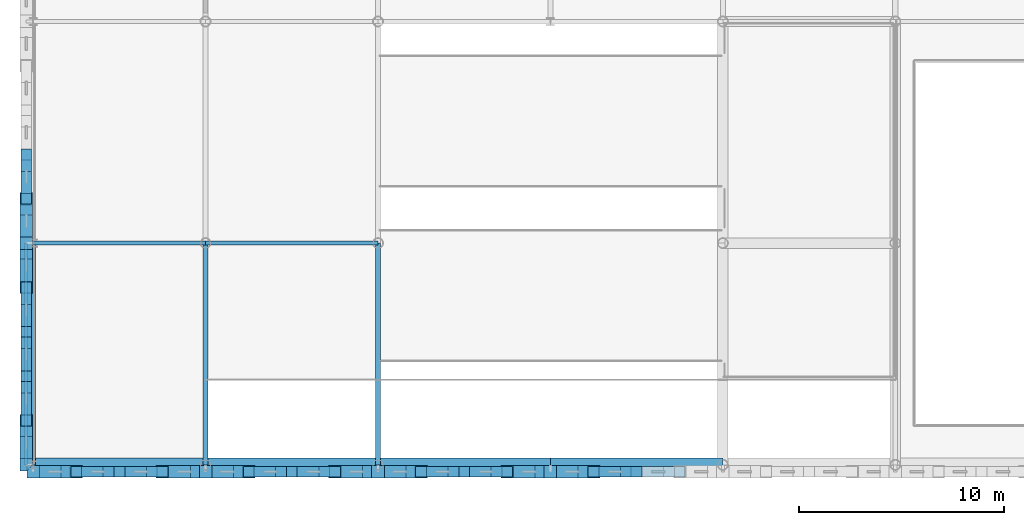
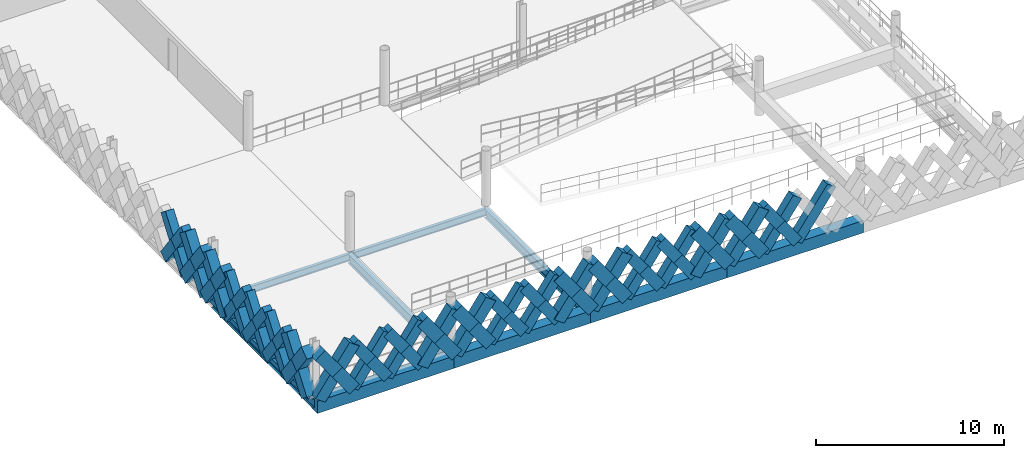
# One storey, part 23 of 101: 65 members, 9 beams.
"""IFC4 building model written with IfcOpenShell, lengths in metres."""

import ifcopenshell
import ifcopenshell.guid

model = None  # the IFC model being written
_history = None  # IfcOwnerHistory: only IFC2X3 demands one
_inside = {}  # id of a spatial element -> (the spatial element, [elements in it])
_under = {}  # id of a project, library or spatial element -> (it, [spatial elements below it])
_declared = {}  # id of a project -> (the project, [libraries it declares])
_typed = {}  # id of a type object -> (the type object, [elements of that type])
_made_of = {}  # id of a material, layer set ... -> (it, [elements and type objects made of it])


def new_model(schema):
    """Start an empty IFC model of exactly this schema.

    Asked for "IFC4X3", IfcOpenShell would pick the latest addendum, in which some entities
    have other attributes; the version numbers below select the first issue.
    IFC2X3 requires an IfcOwnerHistory on every rooted entity: one is made here for all.
    """
    global model, _history
    if schema == "IFC4X3":
        model = ifcopenshell.file(schema_version=(4, 3, 0, 0))
    else:
        model = ifcopenshell.file(schema=schema)
    _inside.clear()
    _under.clear()
    _declared.clear()
    _typed.clear()
    _made_of.clear()
    _history = None
    if model.schema == "IFC2X3":
        org = make("IfcOrganization", Name="unknown")
        user = make(
            "IfcPersonAndOrganization",
            ThePerson=make("IfcPerson", FamilyName="unknown"),
            TheOrganization=org,
        )
        app = make(
            "IfcApplication",
            ApplicationDeveloper=org,
            Version="unknown",
            ApplicationFullName="unknown",
            ApplicationIdentifier="unknown",
        )
        _history = make(
            "IfcOwnerHistory",
            OwningUser=user,
            OwningApplication=app,
            ChangeAction="ADDED",
            CreationDate=0,
        )
    return model


def make(cls, **values):
    """One entity of the class cls with the attributes given. An attribute that is None is left unset."""
    return model.create_entity(
        cls, **{name: value for name, value in values.items() if value is not None}
    )


def rooted(cls, **values):
    """An entity with a GlobalId (a new one), such as an element, a storey or a relation."""
    return make(cls, GlobalId=ifcopenshell.guid.new(), OwnerHistory=_history, **values)


def si_unit(unit_type, name, prefix=None):
    """IfcSIUnit, for example si_unit("LENGTHUNIT", "METRE", prefix="MILLI")."""
    return make("IfcSIUnit", UnitType=unit_type, Prefix=prefix, Name=name)


def assignment(units):
    """IfcUnitAssignment: the units of a project."""
    return None if units is None else make("IfcUnitAssignment", Units=units)


def point(xyz):
    """IfcCartesianPoint."""
    return None if xyz is None else make("IfcCartesianPoint", Coordinates=xyz)


def direction(xyz):
    """IfcDirection."""
    return None if xyz is None else make("IfcDirection", DirectionRatios=xyz)


def frame(location, z_axis=None, x_axis=None):
    """IfcAxis2Placement3D, a coordinate frame: its origin and axes. An axis left out is left unset."""
    return make(
        "IfcAxis2Placement3D",
        Location=point(location),
        Axis=direction(z_axis),
        RefDirection=direction(x_axis),
    )


def frame_2d(location, x_axis=None):
    """IfcAxis2Placement2D, a coordinate frame in the plane: its origin and x axis."""
    return make(
        "IfcAxis2Placement2D", Location=point(location), RefDirection=direction(x_axis)
    )


def origin():
    """The frame at (0, 0, 0) with its axes left unset."""
    return frame((0.0, 0.0, 0.0))


def origin_2d():
    """The frame at (0, 0) in the plane with its x axis left unset."""
    return frame_2d((0.0, 0.0))


def place(relative_to, where):
    """IfcLocalPlacement: puts the frame where relative to a parent placement (None: the world)."""
    return make(
        "IfcLocalPlacement", PlacementRelTo=relative_to, RelativePlacement=where
    )


def context(
    kind, dimensions, precision=None, world=None, true_north=None, identifier=None
):
    """IfcGeometricRepresentationContext, for example the 3D "Model" context."""
    return make(
        "IfcGeometricRepresentationContext",
        ContextIdentifier=identifier,
        ContextType=kind,
        CoordinateSpaceDimension=dimensions,
        Precision=precision,
        WorldCoordinateSystem=world,
        TrueNorth=true_north,
    )


def subcontext(parent, identifier, kind, view, scale=None):
    """IfcGeometricRepresentationSubContext, for example "Body" below "Model"."""
    return make(
        "IfcGeometricRepresentationSubContext",
        ContextIdentifier=identifier,
        ContextType=kind,
        ParentContext=parent,
        TargetScale=scale,
        TargetView=view,
    )


def project(units=None, contexts=None):
    """IfcProject with its units and contexts."""
    return rooted(
        "IfcProject",
        Name="project",
        RepresentationContexts=contexts,
        UnitsInContext=assignment(units),
    )


def spatial(cls, under=None, at=None, **own):
    """A site, building, storey or space (cls), placed at a placement, below another one or the project."""
    s = rooted(cls, ObjectPlacement=at, **own)
    if under is not None:
        _under.setdefault(under.id(), (under, []))[1].append(s)
    return s


def profile(cls, at=None, kind="AREA", **sizes):
    """A parametric profile (cls). Its sizes go by their IFC names, for example OverallWidth=200.0."""
    return make(cls, ProfileType=kind, Position=at, **sizes)


def rectangle(**sizes):
    """IfcRectangleProfileDef."""
    return profile("IfcRectangleProfileDef", **sizes)


def hollow_rectangle(**sizes):
    """IfcRectangleHollowProfileDef."""
    return profile("IfcRectangleHollowProfileDef", **sizes)


def i_section(**sizes):
    """IfcIShapeProfileDef."""
    return profile("IfcIShapeProfileDef", **sizes)


def extrude(swept, where, along, depth):
    """IfcExtrudedAreaSolid: the profile swept, set in the frame where, extruded along a direction by depth."""
    return make(
        "IfcExtrudedAreaSolid",
        SweptArea=swept,
        Position=where,
        ExtrudedDirection=direction(along),
        Depth=depth,
    )


def shape(context_of_items, identifier, shape_type, items):
    """IfcShapeRepresentation: the items that make up one representation, for example the "Body"."""
    return make(
        "IfcShapeRepresentation",
        ContextOfItems=context_of_items,
        RepresentationIdentifier=identifier,
        RepresentationType=shape_type,
        Items=items,
    )


def material(Name=None, Category=None):
    """IfcMaterial."""
    return make("IfcMaterial", Name=Name, Category=Category)


def material_profile(
    of_material, cross_section, Name=None, Category=None, Priority=None
):
    """IfcMaterialProfile: a cross section and its material."""
    return make(
        "IfcMaterialProfile",
        Name=Name,
        Material=of_material,
        Profile=cross_section,
        Priority=Priority,
        Category=Category,
    )


def profile_set(profiles, Name=None, composite=None):
    """IfcMaterialProfileSet."""
    return make(
        "IfcMaterialProfileSet",
        Name=Name,
        MaterialProfiles=profiles,
        CompositeProfile=composite,
    )


def made_of(thing, what):
    """Note that an element or type object is made of a material, layer set ...; save() writes the relation."""
    if what is not None:
        _made_of.setdefault(what.id(), (what, []))[1].append(thing)
    return thing


def type_object(cls, material=None, **own):
    """A type object (cls), such as IfcWallType, which elements share."""
    return made_of(rooted(cls, **own), material)


def element(
    cls,
    number,
    at=None,
    inside=None,
    cuts=None,
    type_object=None,
    material=None,
    context=None,
    identifier="Body",
    shape_type=None,
    held_by="IfcProductDefinitionShape",
    body=None,
    shapes=None,
    **own,
):
    """One element of the class cls, such as IfcWall. Its Tag is "e" and its number.

    at: its placement. inside: the storey or other place that contains it. cuts: it is an
    opening in that element (IfcRelVoidsElement). A single representation is given by context,
    identifier, shape_type and body (its items); several are given by shapes. held_by: the class
    of the entity that holds the representations. save() writes the other relations.
    """
    e = rooted(cls, Tag="e%d" % number, ObjectPlacement=at, **own)
    if body is not None:
        shapes = [shape(context, identifier, shape_type, body)]
    if shapes is not None:
        e.Representation = make(held_by, Representations=shapes)
    if inside is not None:
        _inside.setdefault(inside.id(), (inside, []))[1].append(e)
    if cuts is not None:
        rooted(
            "IfcRelVoidsElement", RelatingBuildingElement=cuts, RelatedOpeningElement=e
        )
    if type_object is not None:
        _typed.setdefault(type_object.id(), (type_object, []))[1].append(e)
    return made_of(e, material)


def aggregate(whole, parts):
    """IfcRelAggregates: a whole, such as a stair, and the parts it consists of."""
    return rooted("IfcRelAggregates", RelatingObject=whole, RelatedObjects=parts)


def save(model, path):
    """Write the relations noted so far, then the file.

    IfcRelAggregates (storeys below a building ...), IfcRelContainedInSpatialStructure (elements
    in a storey), IfcRelDefinesByType, IfcRelAssociatesMaterial and IfcRelDeclares: one each for
    every whole, place, type object, material and project.
    """
    for whole, parts in _under.values():
        aggregate(whole, parts)
    for where, things in _inside.values():
        rooted(
            "IfcRelContainedInSpatialStructure",
            RelatedElements=things,
            RelatingStructure=where,
        )
    for kind, things in _typed.values():
        rooted("IfcRelDefinesByType", RelatedObjects=things, RelatingType=kind)
    for what, things in _made_of.values():
        rooted("IfcRelAssociatesMaterial", RelatedObjects=things, RelatingMaterial=what)
    for by, libraries in _declared.values():
        rooted("IfcRelDeclares", RelatingContext=by, RelatedDefinitions=libraries)
    model.write(path)


model = new_model("IFC4")

# Units and contexts
model_context = context("Model", 3, precision=1e-05, world=origin(), true_north=direction((0.0, 1.0)))
body_context = subcontext(model_context, "Body", "Model", "MODEL_VIEW")
ifc_project = project(units=[si_unit("LENGTHUNIT", "METRE"), si_unit("AREAUNIT", "SQUARE_METRE"), si_unit("VOLUMEUNIT", "CUBIC_METRE"), si_unit("PLANEANGLEUNIT", "RADIAN"), si_unit("MASSUNIT", "GRAM", prefix="KILO"), si_unit("THERMODYNAMICTEMPERATUREUNIT", "KELVIN"), si_unit("POWERUNIT", "WATT")], contexts=[model_context])

# Site, building, storey
site_placement = place(None, origin())
site = spatial("IfcSite", under=ifc_project, at=site_placement, CompositionType="ELEMENT")
building_placement = place(site_placement, origin())
building = spatial("IfcBuilding", under=site, at=building_placement, Name="Tembeka Court Mobility Hub", CompositionType="ELEMENT")
storey_placement = place(building_placement, frame((0.0, 0.0, 5.39990234375)))
storey = spatial("IfcBuildingStorey", under=building, at=storey_placement, Name="L01", CompositionType="ELEMENT", Elevation=5.39990234375)

# Beams
ifc_material_1 = material(Name="Steel S355", Category="steel")
ifc_material_profile_1 = material_profile(ifc_material_1, i_section(OverallWidth=0.18994140625, OverallDepth=0.45703125, WebThickness=0.009033203125, FlangeThickness=0.014404296875, FilletRadius=0.01025390625, at=origin_2d()), Name="UKB 457x191x74")
ifc_profile_set_1 = profile_set([ifc_material_profile_1], Name="Steel S355")
beam_type_1 = type_object("IfcBeamType", Name="BM-B01", PredefinedType="BEAM", material=ifc_profile_set_1)
beam_1_placement = place(storey_placement, frame((0.0, 10.800048828125, -0.478515625), z_axis=(1.0, 0.0, 0.0), x_axis=(0.0, 1.0, 0.0)))
element("IfcBeam", 1, at=beam_1_placement, inside=storey, type_object=beam_type_1, Name="Beam B01 (BM-L01-X0621)", PredefinedType="BEAM", context=body_context, shape_type="SweptSolid", body=[
    extrude(i_section(OverallWidth=0.18994140625, OverallDepth=0.45703125, WebThickness=0.009033203125, FlangeThickness=0.014404296875, FilletRadius=0.01025390625, at=origin_2d()), origin(), (0.0, 0.0, 1.0), 8.39990234375),
])
beam_2_placement = place(storey_placement, frame((8.39990234375, 10.800048828125, -0.478515625), z_axis=(1.0, 0.0, 0.0), x_axis=(0.0, 1.0, 0.0)))
element("IfcBeam", 2, at=beam_2_placement, inside=storey, type_object=beam_type_1, Name="Beam B01 (BM-L01-X0622)", PredefinedType="BEAM", context=body_context, shape_type="SweptSolid", body=[
    extrude(i_section(OverallWidth=0.18994140625, OverallDepth=0.45703125, WebThickness=0.009033203125, FlangeThickness=0.014404296875, FilletRadius=0.01025390625, at=origin_2d()), origin(), (0.0, 0.0, 1.0), 8.400146484375),
])
ifc_material_profile_2 = material_profile(ifc_material_1, i_section(OverallWidth=0.22900390625, OverallDepth=0.612060546875, WebThickness=0.011962890625, FlangeThickness=0.01953125, FilletRadius=0.0126953125, at=origin_2d()), Name="UKB 610x229x125")
ifc_profile_set_2 = profile_set([ifc_material_profile_2], Name="Steel S355")
beam_type_2 = type_object("IfcBeamType", Name="BM-G02", PredefinedType="USERDEFINED", material=ifc_profile_set_2)
for number, where, z_axis, x_axis, name in (
    (3, (0.0, 0.0, -0.52587890625), (0.0, 1.0, 0.0), (-1.0, 0.0, 0.0), "Beam G02 (BM-L01-Y0761)"),
    (4, (8.39990234375, 0.0, -0.555908203125), (0.0, 1.0, 0.0), (-1.0, 0.0, 0.0), "Beam G02 (BM-L01-Y0772)"),
    (5, (16.800048828125, 0.0, -0.555908203125), (0.0, 1.0, 0.0), (-1.0, 0.0, 0.0), "Beam G02 (BM-L01-Y0783)"),
):
    element("IfcBeam", number, at=place(storey_placement, frame(where, z_axis=z_axis, x_axis=x_axis)), inside=storey, type_object=beam_type_2, Name=name, ObjectType="GIRDER", PredefinedType="USERDEFINED", context=body_context, shape_type="SweptSolid", body=[
        extrude(i_section(OverallWidth=0.22900390625, OverallDepth=0.612060546875, WebThickness=0.011962890625, FlangeThickness=0.01953125, FilletRadius=0.0126953125, at=origin_2d()), origin(), (0.0, 0.0, 1.0), 10.800048828125),
    ])
ifc_material_2 = material(Name="Precast concrete C45/55", Category="concrete")
ifc_material_profile_3 = material_profile(ifc_material_2, rectangle(XDim=0.64990234375, YDim=0.800048828125, at=origin_2d()), Name="PC-SP 650x800")
ifc_profile_set_3 = profile_set([ifc_material_profile_3], Name="Precast concrete C45/55")
beam_type_3 = type_object("IfcBeamType", Name="BM-SP01", PredefinedType="SPANDREL", material=ifc_profile_set_3)
beam_3_placement = place(storey_placement, frame((0.0, 0.0, -0.619873046875), z_axis=(1.0, 0.0, 0.0), x_axis=(0.0, 1.0, 0.0)))
element("IfcBeam", 6, at=beam_3_placement, inside=storey, type_object=beam_type_3, Name="Beam SP01 (BM-L01-X0605)", PredefinedType="SPANDREL", context=body_context, shape_type="SweptSolid", body=[
    extrude(rectangle(XDim=0.64990234375, YDim=0.800048828125, at=origin_2d()), origin(), (0.0, 0.0, 1.0), 8.39990234375),
])
beam_4_placement = place(storey_placement, frame((8.39990234375, 0.0, -0.619873046875), z_axis=(1.0, 0.0, 0.0), x_axis=(0.0, 1.0, 0.0)))
element("IfcBeam", 7, at=beam_4_placement, inside=storey, type_object=beam_type_3, Name="Beam SP01 (BM-L01-X0606)", PredefinedType="SPANDREL", context=body_context, shape_type="SweptSolid", body=[
    extrude(rectangle(XDim=0.64990234375, YDim=0.800048828125, at=origin_2d()), origin(), (0.0, 0.0, 1.0), 8.400146484375),
])
beam_5_placement = place(storey_placement, frame((16.800048828125, 0.0, -0.619873046875), z_axis=(1.0, 0.0, 0.0), x_axis=(0.0, 1.0, 0.0)))
element("IfcBeam", 8, at=beam_5_placement, inside=storey, type_object=beam_type_3, Name="Beam SP01 (BM-L01-X0607)", PredefinedType="SPANDREL", context=body_context, shape_type="SweptSolid", body=[
    extrude(rectangle(XDim=0.64990234375, YDim=0.800048828125, at=origin_2d()), origin(), (0.0, 0.0, 1.0), 8.39990234375),
])
beam_6_placement = place(storey_placement, frame((25.199951171875, 0.0, -0.619873046875), z_axis=(1.0, 0.0, 0.0), x_axis=(0.0, 1.0, 0.0)))
element("IfcBeam", 9, at=beam_6_placement, inside=storey, type_object=beam_type_3, Name="Beam SP01 (BM-L01-X0608)", PredefinedType="SPANDREL", context=body_context, shape_type="SweptSolid", body=[
    extrude(rectangle(XDim=0.64990234375, YDim=0.800048828125, at=origin_2d()), origin(), (0.0, 0.0, 1.0), 8.400146484375),
])

# Members
ifc_material_profile_4 = material_profile(ifc_material_2, rectangle(XDim=0.5, YDim=0.64990234375, at=origin_2d()), Name="PC-DIAG 500x650")
ifc_profile_set_4 = profile_set([ifc_material_profile_4], Name="Precast concrete C45/55")
member_type_1 = type_object("IfcMemberType", Name="MEM-DL01", PredefinedType="BRACE", material=ifc_profile_set_4)
member_1_placement = place(storey_placement, frame((2.10009765625, -0.340087890625, 0.02001953125), z_axis=(0.582499552306, 0.0, 0.812831022762), x_axis=(0.0, 1.0, 0.0)))
element("IfcMember", 10, at=member_1_placement, inside=storey, type_object=member_type_1, Name="Precast diamond lattice continuous strand DL01 (L01-2A)", PredefinedType="BRACE", context=body_context, shape_type="SweptSolid", body=[
    extrude(rectangle(XDim=0.5, YDim=0.64990234375, at=origin_2d()), origin(), (0.0, 0.0, 1.0), 3.60498046875),
])
for number, where, z_axis, x_axis, name in (
    (11, (4.199951171875, -0.340087890625, 0.02001953125), (-0.582544294934, 0.0, 0.812798956963), (0.0, -1.0, 0.0), "Precast diamond lattice split lower strand DL01 (L01-2B1)"),
    (12, (3.14990234375, -0.340087890625, 1.485107421875), (-0.582454804382, 0.0, 0.812863088627), (0.0, -1.0, 0.0), "Precast diamond lattice split upper strand DL01 (L01-2B2)"),
):
    element("IfcMember", number, at=place(storey_placement, frame(where, z_axis=z_axis, x_axis=x_axis)), inside=storey, type_object=member_type_1, Name=name, PredefinedType="BRACE", context=body_context, shape_type="SweptSolid", body=[
        extrude(rectangle(XDim=0.5, YDim=0.64990234375, at=origin_2d()), origin(), (0.0, 0.0, 1.0), 1.802490234375),
    ])
member_2_placement = place(storey_placement, frame((4.199951171875, -0.340087890625, 0.02001953125), z_axis=(0.582544294934, 0.0, 0.812798956963), x_axis=(0.0, 1.0, 0.0)))
element("IfcMember", 13, at=member_2_placement, inside=storey, type_object=member_type_1, Name="Precast diamond lattice continuous strand DL01 (L01-3A)", PredefinedType="BRACE", context=body_context, shape_type="SweptSolid", body=[
    extrude(rectangle(XDim=0.5, YDim=0.64990234375, at=origin_2d()), origin(), (0.0, 0.0, 1.0), 3.60498046875),
])
for number, where, z_axis, x_axis, name in (
    (14, (6.300048828125, -0.340087890625, 0.02001953125), (-0.582544294934, 0.0, 0.812798956963), (0.0, -1.0, 0.0), "Precast diamond lattice split lower strand DL01 (L01-3B1)"),
    (15, (5.25, -0.340087890625, 1.485107421875), (-0.582544294934, 0.0, 0.812798956963), (0.0, -1.0, 0.0), "Precast diamond lattice split upper strand DL01 (L01-3B2)"),
):
    element("IfcMember", number, at=place(storey_placement, frame(where, z_axis=z_axis, x_axis=x_axis)), inside=storey, type_object=member_type_1, Name=name, PredefinedType="BRACE", context=body_context, shape_type="SweptSolid", body=[
        extrude(rectangle(XDim=0.5, YDim=0.64990234375, at=origin_2d()), origin(), (0.0, 0.0, 1.0), 1.802490234375),
    ])
member_3_placement = place(storey_placement, frame((10.5, -0.340087890625, 0.02001953125), z_axis=(0.582544294934, 0.0, 0.812798956963), x_axis=(0.0, 1.0, 0.0)))
element("IfcMember", 16, at=member_3_placement, inside=storey, type_object=member_type_1, Name="Precast diamond lattice continuous strand DL01 (L01-6A)", PredefinedType="BRACE", context=body_context, shape_type="SweptSolid", body=[
    extrude(rectangle(XDim=0.5, YDim=0.64990234375, at=origin_2d()), origin(), (0.0, 0.0, 1.0), 3.60498046875),
])
for number, where, z_axis, x_axis, name in (
    (17, (12.60009765625, -0.340087890625, 0.02001953125), (-0.582544294934, 0.0, 0.812798956963), (0.0, -1.0, 0.0), "Precast diamond lattice split lower strand DL01 (L01-6B1)"),
    (18, (11.550048828125, -0.340087890625, 1.485107421875), (-0.582544294934, 0.0, 0.812798956963), (0.0, -1.0, 0.0), "Precast diamond lattice split upper strand DL01 (L01-6B2)"),
):
    element("IfcMember", number, at=place(storey_placement, frame(where, z_axis=z_axis, x_axis=x_axis)), inside=storey, type_object=member_type_1, Name=name, PredefinedType="BRACE", context=body_context, shape_type="SweptSolid", body=[
        extrude(rectangle(XDim=0.5, YDim=0.64990234375, at=origin_2d()), origin(), (0.0, 0.0, 1.0), 1.802490234375),
    ])
member_4_placement = place(storey_placement, frame((12.60009765625, -0.340087890625, 0.02001953125), z_axis=(0.582499552306, 0.0, 0.812831022762), x_axis=(0.0, 1.0, 0.0)))
element("IfcMember", 19, at=member_4_placement, inside=storey, type_object=member_type_1, Name="Precast diamond lattice continuous strand DL01 (L01-7A)", PredefinedType="BRACE", context=body_context, shape_type="SweptSolid", body=[
    extrude(rectangle(XDim=0.5, YDim=0.64990234375, at=origin_2d()), origin(), (0.0, 0.0, 1.0), 3.60498046875),
])
for number, where, z_axis, x_axis, name in (
    (20, (14.699951171875, -0.340087890625, 0.02001953125), (-0.582544294934, 0.0, 0.812798956963), (0.0, -1.0, 0.0), "Precast diamond lattice split lower strand DL01 (L01-7B1)"),
    (21, (13.64990234375, -0.340087890625, 1.485107421875), (-0.582454804382, 0.0, 0.812863088627), (0.0, -1.0, 0.0), "Precast diamond lattice split upper strand DL01 (L01-7B2)"),
):
    element("IfcMember", number, at=place(storey_placement, frame(where, z_axis=z_axis, x_axis=x_axis)), inside=storey, type_object=member_type_1, Name=name, PredefinedType="BRACE", context=body_context, shape_type="SweptSolid", body=[
        extrude(rectangle(XDim=0.5, YDim=0.64990234375, at=origin_2d()), origin(), (0.0, 0.0, 1.0), 1.802490234375),
    ])
member_5_placement = place(storey_placement, frame((18.89990234375, -0.340087890625, 0.02001953125), z_axis=(0.582544294934, 0.0, 0.812798956963), x_axis=(0.0, 1.0, 0.0)))
element("IfcMember", 22, at=member_5_placement, inside=storey, type_object=member_type_1, Name="Precast diamond lattice continuous strand DL01 (L01-10A)", PredefinedType="BRACE", context=body_context, shape_type="SweptSolid", body=[
    extrude(rectangle(XDim=0.5, YDim=0.64990234375, at=origin_2d()), origin(), (0.0, 0.0, 1.0), 3.60498046875),
])
for number, where, z_axis, x_axis, name in (
    (23, (21.0, -0.340087890625, 0.02001953125), (-0.582544294934, 0.0, 0.812798956963), (0.0, -1.0, 0.0), "Precast diamond lattice split lower strand DL01 (L01-10B1)"),
    (24, (19.949951171875, -0.340087890625, 1.485107421875), (-0.582544294934, 0.0, 0.812798956963), (0.0, -1.0, 0.0), "Precast diamond lattice split upper strand DL01 (L01-10B2)"),
):
    element("IfcMember", number, at=place(storey_placement, frame(where, z_axis=z_axis, x_axis=x_axis)), inside=storey, type_object=member_type_1, Name=name, PredefinedType="BRACE", context=body_context, shape_type="SweptSolid", body=[
        extrude(rectangle(XDim=0.5, YDim=0.64990234375, at=origin_2d()), origin(), (0.0, 0.0, 1.0), 1.802490234375),
    ])
member_6_placement = place(storey_placement, frame((21.0, -0.340087890625, 0.02001953125), z_axis=(0.582544294934, 0.0, 0.812798956963), x_axis=(0.0, 1.0, 0.0)))
element("IfcMember", 25, at=member_6_placement, inside=storey, type_object=member_type_1, Name="Precast diamond lattice continuous strand DL01 (L01-11A)", PredefinedType="BRACE", context=body_context, shape_type="SweptSolid", body=[
    extrude(rectangle(XDim=0.5, YDim=0.64990234375, at=origin_2d()), origin(), (0.0, 0.0, 1.0), 3.60498046875),
])
for number, where, z_axis, x_axis, name in (
    (26, (23.10009765625, -0.340087890625, 0.02001953125), (-0.582544294934, 0.0, 0.812798956963), (0.0, -1.0, 0.0), "Precast diamond lattice split lower strand DL01 (L01-11B1)"),
    (27, (22.050048828125, -0.340087890625, 1.485107421875), (-0.582544294934, 0.0, 0.812798956963), (0.0, -1.0, 0.0), "Precast diamond lattice split upper strand DL01 (L01-11B2)"),
):
    element("IfcMember", number, at=place(storey_placement, frame(where, z_axis=z_axis, x_axis=x_axis)), inside=storey, type_object=member_type_1, Name=name, PredefinedType="BRACE", context=body_context, shape_type="SweptSolid", body=[
        extrude(rectangle(XDim=0.5, YDim=0.64990234375, at=origin_2d()), origin(), (0.0, 0.0, 1.0), 1.802490234375),
    ])
member_7_placement = place(storey_placement, frame((27.300048828125, -0.340087890625, 0.02001953125), z_axis=(0.582499552306, 0.0, 0.812831022762), x_axis=(0.0, 1.0, 0.0)))
element("IfcMember", 28, at=member_7_placement, inside=storey, type_object=member_type_1, Name="Precast diamond lattice continuous strand DL01 (L01-14A)", PredefinedType="BRACE", context=body_context, shape_type="SweptSolid", body=[
    extrude(rectangle(XDim=0.5, YDim=0.64990234375, at=origin_2d()), origin(), (0.0, 0.0, 1.0), 3.60498046875),
])
for number, where, z_axis, x_axis, name in (
    (29, (29.39990234375, -0.340087890625, 0.02001953125), (-0.582454804382, 0.0, 0.812863088627), (0.0, -1.0, 0.0), "Precast diamond lattice split lower strand DL01 (L01-14B1)"),
    (30, (28.35009765625, -0.340087890625, 1.485107421875), (-0.582544294934, 0.0, 0.812798956963), (0.0, -1.0, 0.0), "Precast diamond lattice split upper strand DL01 (L01-14B2)"),
):
    element("IfcMember", number, at=place(storey_placement, frame(where, z_axis=z_axis, x_axis=x_axis)), inside=storey, type_object=member_type_1, Name=name, PredefinedType="BRACE", context=body_context, shape_type="SweptSolid", body=[
        extrude(rectangle(XDim=0.5, YDim=0.64990234375, at=origin_2d()), origin(), (0.0, 0.0, 1.0), 1.802490234375),
    ])
member_8_placement = place(storey_placement, frame((29.39990234375, -0.340087890625, 0.02001953125), z_axis=(0.582544294934, 0.0, 0.812798956963), x_axis=(0.0, 1.0, 0.0)))
element("IfcMember", 31, at=member_8_placement, inside=storey, type_object=member_type_1, Name="Precast diamond lattice continuous strand DL01 (L01-15A)", PredefinedType="BRACE", context=body_context, shape_type="SweptSolid", body=[
    extrude(rectangle(XDim=0.5, YDim=0.64990234375, at=origin_2d()), origin(), (0.0, 0.0, 1.0), 3.60498046875),
])
member_9_placement = place(storey_placement, frame((-0.340087890625, 2.159912109375, 0.02001953125), z_axis=(0.0, 0.593391185876, 0.804914219358), x_axis=(-1.0, 0.0, 0.0)))
element("IfcMember", 32, at=member_9_placement, inside=storey, type_object=member_type_1, Name="Precast diamond lattice continuous strand DL01 (L01-90C)", PredefinedType="BRACE", context=body_context, shape_type="SweptSolid", body=[
    extrude(rectangle(XDim=0.5, YDim=0.64990234375, at=origin_2d()), origin(), (0.0, 0.0, 1.0), 3.640380859375),
])
for number, where, z_axis, x_axis, name in (
    (33, (-0.340087890625, 4.320068359375, 0.02001953125), (0.0, -0.593391185876, 0.804914219358), (1.0, 0.0, 0.0), "Precast diamond lattice split lower strand DL01 (L01-90D1)"),
    (34, (-0.340087890625, 3.239990234375, 1.485107421875), (0.0, -0.593391185876, 0.804914219358), (1.0, 0.0, 0.0), "Precast diamond lattice split upper strand DL01 (L01-90D2)"),
):
    element("IfcMember", number, at=place(storey_placement, frame(where, z_axis=z_axis, x_axis=x_axis)), inside=storey, type_object=member_type_1, Name=name, PredefinedType="BRACE", context=body_context, shape_type="SweptSolid", body=[
        extrude(rectangle(XDim=0.5, YDim=0.64990234375, at=origin_2d()), origin(), (0.0, 0.0, 1.0), 1.820068359375),
    ])
member_10_placement = place(storey_placement, frame((-0.340087890625, 4.320068359375, 0.02001953125), z_axis=(0.0, 0.593347732742, 0.804946251653), x_axis=(-1.0, 0.0, 0.0)))
element("IfcMember", 35, at=member_10_placement, inside=storey, type_object=member_type_1, Name="Precast diamond lattice continuous strand DL01 (L01-91C)", PredefinedType="BRACE", context=body_context, shape_type="SweptSolid", body=[
    extrude(rectangle(XDim=0.5, YDim=0.64990234375, at=origin_2d()), origin(), (0.0, 0.0, 1.0), 3.64013671875),
])
for number, where, z_axis, x_axis, name in (
    (36, (-0.340087890625, 6.47998046875, 0.02001953125), (0.0, -0.593391185876, 0.804914219358), (1.0, 0.0, 0.0), "Precast diamond lattice split lower strand DL01 (L01-91D1)"),
    (37, (-0.340087890625, 5.39990234375, 1.485107421875), (0.0, -0.593304274421, 0.804978284151), (1.0, 0.0, 0.0), "Precast diamond lattice split upper strand DL01 (L01-91D2)"),
):
    element("IfcMember", number, at=place(storey_placement, frame(where, z_axis=z_axis, x_axis=x_axis)), inside=storey, type_object=member_type_1, Name=name, PredefinedType="BRACE", context=body_context, shape_type="SweptSolid", body=[
        extrude(rectangle(XDim=0.5, YDim=0.64990234375, at=origin_2d()), origin(), (0.0, 0.0, 1.0), 1.820068359375),
    ])
member_11_placement = place(storey_placement, frame((-0.340087890625, 6.47998046875, 0.02001953125), z_axis=(0.0, 0.593347732742, 0.804946251653), x_axis=(-1.0, 0.0, 0.0)))
element("IfcMember", 38, at=member_11_placement, inside=storey, type_object=member_type_1, Name="Precast diamond lattice continuous strand DL01 (L01-92C)", PredefinedType="BRACE", context=body_context, shape_type="SweptSolid", body=[
    extrude(rectangle(XDim=0.5, YDim=0.64990234375, at=origin_2d()), origin(), (0.0, 0.0, 1.0), 3.64013671875),
])
for number, where, z_axis, x_axis, name in (
    (39, (-0.340087890625, 8.639892578125, 0.02001953125), (0.0, -0.593304274421, 0.804978284151), (1.0, 0.0, 0.0), "Precast diamond lattice split lower strand DL01 (L01-92D1)"),
    (40, (-0.340087890625, 7.56005859375, 1.485107421875), (0.0, -0.593391185876, 0.804914219358), (1.0, 0.0, 0.0), "Precast diamond lattice split upper strand DL01 (L01-92D2)"),
):
    element("IfcMember", number, at=place(storey_placement, frame(where, z_axis=z_axis, x_axis=x_axis)), inside=storey, type_object=member_type_1, Name=name, PredefinedType="BRACE", context=body_context, shape_type="SweptSolid", body=[
        extrude(rectangle(XDim=0.5, YDim=0.64990234375, at=origin_2d()), origin(), (0.0, 0.0, 1.0), 1.820068359375),
    ])
member_12_placement = place(storey_placement, frame((-0.340087890625, 12.9599609375, 0.02001953125), z_axis=(0.0, 0.593391185876, 0.804914219358), x_axis=(-1.0, 0.0, 0.0)))
element("IfcMember", 41, at=member_12_placement, inside=storey, type_object=member_type_1, Name="Precast diamond lattice continuous strand DL01 (L01-95C)", PredefinedType="BRACE", context=body_context, shape_type="SweptSolid", body=[
    extrude(rectangle(XDim=0.5, YDim=0.64990234375, at=origin_2d()), origin(), (0.0, 0.0, 1.0), 3.640380859375),
])
for number, where, z_axis, x_axis, name in (
    (42, (-0.340087890625, 15.1201171875, 0.02001953125), (0.0, -0.593391185876, 0.804914219358), (1.0, 0.0, 0.0), "Precast diamond lattice split lower strand DL01 (L01-95D1)"),
    (43, (-0.340087890625, 14.0400390625, 1.485107421875), (0.0, -0.593391185876, 0.804914219358), (1.0, 0.0, 0.0), "Precast diamond lattice split upper strand DL01 (L01-95D2)"),
):
    element("IfcMember", number, at=place(storey_placement, frame(where, z_axis=z_axis, x_axis=x_axis)), inside=storey, type_object=member_type_1, Name=name, PredefinedType="BRACE", context=body_context, shape_type="SweptSolid", body=[
        extrude(rectangle(XDim=0.5, YDim=0.64990234375, at=origin_2d()), origin(), (0.0, 0.0, 1.0), 1.820068359375),
    ])
ifc_material_profile_5 = material_profile(ifc_material_2, rectangle(XDim=0.60009765625, YDim=0.75, at=origin_2d()), Name="PC-DIAG 600x750")
ifc_profile_set_5 = profile_set([ifc_material_profile_5], Name="Precast concrete C45/55")
member_type_2 = type_object("IfcMemberType", Name="MEM-DL02", PredefinedType="BRACE", material=ifc_profile_set_5)
member_13_placement = place(storey_placement, frame((0.0, -0.340087890625, 0.02001953125), z_axis=(0.582544294934, 0.0, 0.812798956963), x_axis=(0.0, 1.0, 0.0)))
element("IfcMember", 44, at=member_13_placement, inside=storey, type_object=member_type_2, Name="Precast diamond lattice continuous strand DL02 (L01-1A)", PredefinedType="BRACE", context=body_context, shape_type="SweptSolid", body=[
    extrude(rectangle(XDim=0.60009765625, YDim=0.75, at=origin_2d()), origin(), (0.0, 0.0, 1.0), 3.60498046875),
])
for number, where, z_axis, x_axis, name in (
    (45, (2.10009765625, -0.340087890625, 0.02001953125), (-0.582544294934, 0.0, 0.812798956963), (0.0, -1.0, 0.0), "Precast diamond lattice split lower strand DL02 (L01-1B1)"),
    (46, (1.050048828125, -0.340087890625, 1.485107421875), (-0.582544294934, 0.0, 0.812798956963), (0.0, -1.0, 0.0), "Precast diamond lattice split upper strand DL02 (L01-1B2)"),
):
    element("IfcMember", number, at=place(storey_placement, frame(where, z_axis=z_axis, x_axis=x_axis)), inside=storey, type_object=member_type_2, Name=name, PredefinedType="BRACE", context=body_context, shape_type="SweptSolid", body=[
        extrude(rectangle(XDim=0.60009765625, YDim=0.75, at=origin_2d()), origin(), (0.0, 0.0, 1.0), 1.802490234375),
    ])
member_14_placement = place(storey_placement, frame((6.300048828125, -0.340087890625, 0.02001953125), z_axis=(0.582499552306, 0.0, 0.812831022762), x_axis=(0.0, 1.0, 0.0)))
element("IfcMember", 47, at=member_14_placement, inside=storey, type_object=member_type_2, Name="Precast diamond lattice continuous strand DL02 (L01-4A)", PredefinedType="BRACE", context=body_context, shape_type="SweptSolid", body=[
    extrude(rectangle(XDim=0.60009765625, YDim=0.75, at=origin_2d()), origin(), (0.0, 0.0, 1.0), 3.60498046875),
])
for number, where, z_axis, x_axis, name in (
    (48, (8.39990234375, -0.340087890625, 0.02001953125), (-0.582454804382, 0.0, 0.812863088627), (0.0, -1.0, 0.0), "Precast diamond lattice split lower strand DL02 (L01-4B1)"),
    (49, (7.35009765625, -0.340087890625, 1.485107421875), (-0.582544294934, 0.0, 0.812798956963), (0.0, -1.0, 0.0), "Precast diamond lattice split upper strand DL02 (L01-4B2)"),
):
    element("IfcMember", number, at=place(storey_placement, frame(where, z_axis=z_axis, x_axis=x_axis)), inside=storey, type_object=member_type_2, Name=name, PredefinedType="BRACE", context=body_context, shape_type="SweptSolid", body=[
        extrude(rectangle(XDim=0.60009765625, YDim=0.75, at=origin_2d()), origin(), (0.0, 0.0, 1.0), 1.802490234375),
    ])
member_15_placement = place(storey_placement, frame((8.39990234375, -0.340087890625, 0.02001953125), z_axis=(0.582544294934, 0.0, 0.812798956963), x_axis=(0.0, 1.0, 0.0)))
element("IfcMember", 50, at=member_15_placement, inside=storey, type_object=member_type_2, Name="Precast diamond lattice continuous strand DL02 (L01-5A)", PredefinedType="BRACE", context=body_context, shape_type="SweptSolid", body=[
    extrude(rectangle(XDim=0.60009765625, YDim=0.75, at=origin_2d()), origin(), (0.0, 0.0, 1.0), 3.60498046875),
])
for number, where, z_axis, x_axis, name in (
    (51, (10.5, -0.340087890625, 0.02001953125), (-0.582544294934, 0.0, 0.812798956963), (0.0, -1.0, 0.0), "Precast diamond lattice split lower strand DL02 (L01-5B1)"),
    (52, (9.449951171875, -0.340087890625, 1.485107421875), (-0.582544294934, 0.0, 0.812798956963), (0.0, -1.0, 0.0), "Precast diamond lattice split upper strand DL02 (L01-5B2)"),
):
    element("IfcMember", number, at=place(storey_placement, frame(where, z_axis=z_axis, x_axis=x_axis)), inside=storey, type_object=member_type_2, Name=name, PredefinedType="BRACE", context=body_context, shape_type="SweptSolid", body=[
        extrude(rectangle(XDim=0.60009765625, YDim=0.75, at=origin_2d()), origin(), (0.0, 0.0, 1.0), 1.802490234375),
    ])
member_16_placement = place(storey_placement, frame((14.699951171875, -0.340087890625, 0.02001953125), z_axis=(0.582544294934, 0.0, 0.812798956963), x_axis=(0.0, 1.0, 0.0)))
element("IfcMember", 53, at=member_16_placement, inside=storey, type_object=member_type_2, Name="Precast diamond lattice continuous strand DL02 (L01-8A)", PredefinedType="BRACE", context=body_context, shape_type="SweptSolid", body=[
    extrude(rectangle(XDim=0.60009765625, YDim=0.75, at=origin_2d()), origin(), (0.0, 0.0, 1.0), 3.60498046875),
])
for number, where, z_axis, x_axis, name in (
    (54, (16.800048828125, -0.340087890625, 0.02001953125), (-0.582544294934, 0.0, 0.812798956963), (0.0, -1.0, 0.0), "Precast diamond lattice split lower strand DL02 (L01-8B1)"),
    (55, (15.75, -0.340087890625, 1.485107421875), (-0.582544294934, 0.0, 0.812798956963), (0.0, -1.0, 0.0), "Precast diamond lattice split upper strand DL02 (L01-8B2)"),
):
    element("IfcMember", number, at=place(storey_placement, frame(where, z_axis=z_axis, x_axis=x_axis)), inside=storey, type_object=member_type_2, Name=name, PredefinedType="BRACE", context=body_context, shape_type="SweptSolid", body=[
        extrude(rectangle(XDim=0.60009765625, YDim=0.75, at=origin_2d()), origin(), (0.0, 0.0, 1.0), 1.802490234375),
    ])
member_17_placement = place(storey_placement, frame((16.800048828125, -0.340087890625, 0.02001953125), z_axis=(0.582499552306, 0.0, 0.812831022762), x_axis=(0.0, 1.0, 0.0)))
element("IfcMember", 56, at=member_17_placement, inside=storey, type_object=member_type_2, Name="Precast diamond lattice continuous strand DL02 (L01-9A)", PredefinedType="BRACE", context=body_context, shape_type="SweptSolid", body=[
    extrude(rectangle(XDim=0.60009765625, YDim=0.75, at=origin_2d()), origin(), (0.0, 0.0, 1.0), 3.60498046875),
])
for number, where, z_axis, x_axis, name in (
    (57, (18.89990234375, -0.340087890625, 0.02001953125), (-0.582454804382, 0.0, 0.812863088627), (0.0, -1.0, 0.0), "Precast diamond lattice split lower strand DL02 (L01-9B1)"),
    (58, (17.85009765625, -0.340087890625, 1.485107421875), (-0.582544294934, 0.0, 0.812798956963), (0.0, -1.0, 0.0), "Precast diamond lattice split upper strand DL02 (L01-9B2)"),
):
    element("IfcMember", number, at=place(storey_placement, frame(where, z_axis=z_axis, x_axis=x_axis)), inside=storey, type_object=member_type_2, Name=name, PredefinedType="BRACE", context=body_context, shape_type="SweptSolid", body=[
        extrude(rectangle(XDim=0.60009765625, YDim=0.75, at=origin_2d()), origin(), (0.0, 0.0, 1.0), 1.802490234375),
    ])
member_18_placement = place(storey_placement, frame((23.10009765625, -0.340087890625, 0.02001953125), z_axis=(0.582499552306, 0.0, 0.812831022762), x_axis=(0.0, 1.0, 0.0)))
element("IfcMember", 59, at=member_18_placement, inside=storey, type_object=member_type_2, Name="Precast diamond lattice continuous strand DL02 (L01-12A)", PredefinedType="BRACE", context=body_context, shape_type="SweptSolid", body=[
    extrude(rectangle(XDim=0.60009765625, YDim=0.75, at=origin_2d()), origin(), (0.0, 0.0, 1.0), 3.60498046875),
])
for number, where, z_axis, x_axis, name in (
    (60, (25.199951171875, -0.340087890625, 0.02001953125), (-0.582544294934, 0.0, 0.812798956963), (0.0, -1.0, 0.0), "Precast diamond lattice split lower strand DL02 (L01-12B1)"),
    (61, (24.14990234375, -0.340087890625, 1.485107421875), (-0.582454804382, 0.0, 0.812863088627), (0.0, -1.0, 0.0), "Precast diamond lattice split upper strand DL02 (L01-12B2)"),
):
    element("IfcMember", number, at=place(storey_placement, frame(where, z_axis=z_axis, x_axis=x_axis)), inside=storey, type_object=member_type_2, Name=name, PredefinedType="BRACE", context=body_context, shape_type="SweptSolid", body=[
        extrude(rectangle(XDim=0.60009765625, YDim=0.75, at=origin_2d()), origin(), (0.0, 0.0, 1.0), 1.802490234375),
    ])
member_19_placement = place(storey_placement, frame((25.199951171875, -0.340087890625, 0.02001953125), z_axis=(0.582544294934, 0.0, 0.812798956963), x_axis=(0.0, 1.0, 0.0)))
element("IfcMember", 62, at=member_19_placement, inside=storey, type_object=member_type_2, Name="Precast diamond lattice continuous strand DL02 (L01-13A)", PredefinedType="BRACE", context=body_context, shape_type="SweptSolid", body=[
    extrude(rectangle(XDim=0.60009765625, YDim=0.75, at=origin_2d()), origin(), (0.0, 0.0, 1.0), 3.60498046875),
])
for number, where, z_axis, x_axis, name in (
    (63, (27.300048828125, -0.340087890625, 0.02001953125), (-0.582544294934, 0.0, 0.812798956963), (0.0, -1.0, 0.0), "Precast diamond lattice split lower strand DL02 (L01-13B1)"),
    (64, (26.25, -0.340087890625, 1.485107421875), (-0.582544294934, 0.0, 0.812798956963), (0.0, -1.0, 0.0), "Precast diamond lattice split upper strand DL02 (L01-13B2)"),
):
    element("IfcMember", number, at=place(storey_placement, frame(where, z_axis=z_axis, x_axis=x_axis)), inside=storey, type_object=member_type_2, Name=name, PredefinedType="BRACE", context=body_context, shape_type="SweptSolid", body=[
        extrude(rectangle(XDim=0.60009765625, YDim=0.75, at=origin_2d()), origin(), (0.0, 0.0, 1.0), 1.802490234375),
    ])
member_20_placement = place(storey_placement, frame((-0.340087890625, 0.0, 0.02001953125), z_axis=(0.0, 0.593347732742, 0.804946251653), x_axis=(-1.0, 0.0, 0.0)))
element("IfcMember", 65, at=member_20_placement, inside=storey, type_object=member_type_2, Name="Precast diamond lattice continuous strand DL02 (L01-89C)", PredefinedType="BRACE", context=body_context, shape_type="SweptSolid", body=[
    extrude(rectangle(XDim=0.60009765625, YDim=0.75, at=origin_2d()), origin(), (0.0, 0.0, 1.0), 3.64013671875),
])
for number, where, z_axis, x_axis, name in (
    (66, (-0.340087890625, 2.159912109375, 0.02001953125), (0.0, -0.593304274421, 0.804978284151), (1.0, 0.0, 0.0), "Precast diamond lattice split lower strand DL02 (L01-89D1)"),
    (67, (-0.340087890625, 1.080078125, 1.485107421875), (0.0, -0.593391185876, 0.804914219358), (1.0, 0.0, 0.0), "Precast diamond lattice split upper strand DL02 (L01-89D2)"),
):
    element("IfcMember", number, at=place(storey_placement, frame(where, z_axis=z_axis, x_axis=x_axis)), inside=storey, type_object=member_type_2, Name=name, PredefinedType="BRACE", context=body_context, shape_type="SweptSolid", body=[
        extrude(rectangle(XDim=0.60009765625, YDim=0.75, at=origin_2d()), origin(), (0.0, 0.0, 1.0), 1.820068359375),
    ])
member_21_placement = place(storey_placement, frame((-0.340087890625, 8.639892578125, 0.02001953125), z_axis=(0.0, 0.593391185876, 0.804914219358), x_axis=(-1.0, 0.0, 0.0)))
element("IfcMember", 68, at=member_21_placement, inside=storey, type_object=member_type_2, Name="Precast diamond lattice continuous strand DL02 (L01-93C)", PredefinedType="BRACE", context=body_context, shape_type="SweptSolid", body=[
    extrude(rectangle(XDim=0.60009765625, YDim=0.75, at=origin_2d()), origin(), (0.0, 0.0, 1.0), 3.640380859375),
])
for number, where, z_axis, x_axis, name in (
    (69, (-0.340087890625, 10.800048828125, 0.02001953125), (0.0, -0.593391185876, 0.804914219358), (1.0, 0.0, 0.0), "Precast diamond lattice split lower strand DL02 (L01-93D1)"),
    (70, (-0.340087890625, 9.719970703125, 1.485107421875), (0.0, -0.593391185876, 0.804914219358), (1.0, 0.0, 0.0), "Precast diamond lattice split upper strand DL02 (L01-93D2)"),
):
    element("IfcMember", number, at=place(storey_placement, frame(where, z_axis=z_axis, x_axis=x_axis)), inside=storey, type_object=member_type_2, Name=name, PredefinedType="BRACE", context=body_context, shape_type="SweptSolid", body=[
        extrude(rectangle(XDim=0.60009765625, YDim=0.75, at=origin_2d()), origin(), (0.0, 0.0, 1.0), 1.820068359375),
    ])
member_22_placement = place(storey_placement, frame((-0.340087890625, 10.800048828125, 0.02001953125), z_axis=(0.0, 0.593347732742, 0.804946251653), x_axis=(-1.0, 0.0, 0.0)))
element("IfcMember", 71, at=member_22_placement, inside=storey, type_object=member_type_2, Name="Precast diamond lattice continuous strand DL02 (L01-94C)", PredefinedType="BRACE", context=body_context, shape_type="SweptSolid", body=[
    extrude(rectangle(XDim=0.60009765625, YDim=0.75, at=origin_2d()), origin(), (0.0, 0.0, 1.0), 3.64013671875),
])
for number, where, z_axis, x_axis, name in (
    (72, (-0.340087890625, 12.9599609375, 0.02001953125), (0.0, -0.593391185876, 0.804914219358), (1.0, 0.0, 0.0), "Precast diamond lattice split lower strand DL02 (L01-94D1)"),
    (73, (-0.340087890625, 11.8798828125, 1.485107421875), (0.0, -0.593304274421, 0.804978284151), (1.0, 0.0, 0.0), "Precast diamond lattice split upper strand DL02 (L01-94D2)"),
):
    element("IfcMember", number, at=place(storey_placement, frame(where, z_axis=z_axis, x_axis=x_axis)), inside=storey, type_object=member_type_2, Name=name, PredefinedType="BRACE", context=body_context, shape_type="SweptSolid", body=[
        extrude(rectangle(XDim=0.60009765625, YDim=0.75, at=origin_2d()), origin(), (0.0, 0.0, 1.0), 1.820068359375),
    ])
ifc_material_profile_6 = material_profile(ifc_material_1, hollow_rectangle(XDim=0.14990234375, YDim=0.300048828125, WallThickness=0.010009765625, at=origin_2d()), Name="RHS 300x150x10")
ifc_profile_set_6 = profile_set([ifc_material_profile_6], Name="Steel S355")
member_type_3 = type_object("IfcMemberType", Name="MEM-ST03", PredefinedType="STRUT", material=ifc_profile_set_6)
member_23_placement = place(storey_placement, frame((-0.340087890625, 0.0, 0.02001953125), z_axis=(0.0, 1.0, 0.0), x_axis=(-1.0, 0.0, 0.0)))
element("IfcMember", 74, at=member_23_placement, inside=storey, type_object=member_type_3, Name="Proud lattice sill tie chord SR03 (L01-W-0)", PredefinedType="STRUT", context=body_context, shape_type="SweptSolid", body=[
    extrude(hollow_rectangle(XDim=0.14990234375, YDim=0.300048828125, WallThickness=0.010009765625, at=origin_2d()), origin(), (0.0, 0.0, 1.0), 10.800048828125),
])

save(model, "model.ifc")
